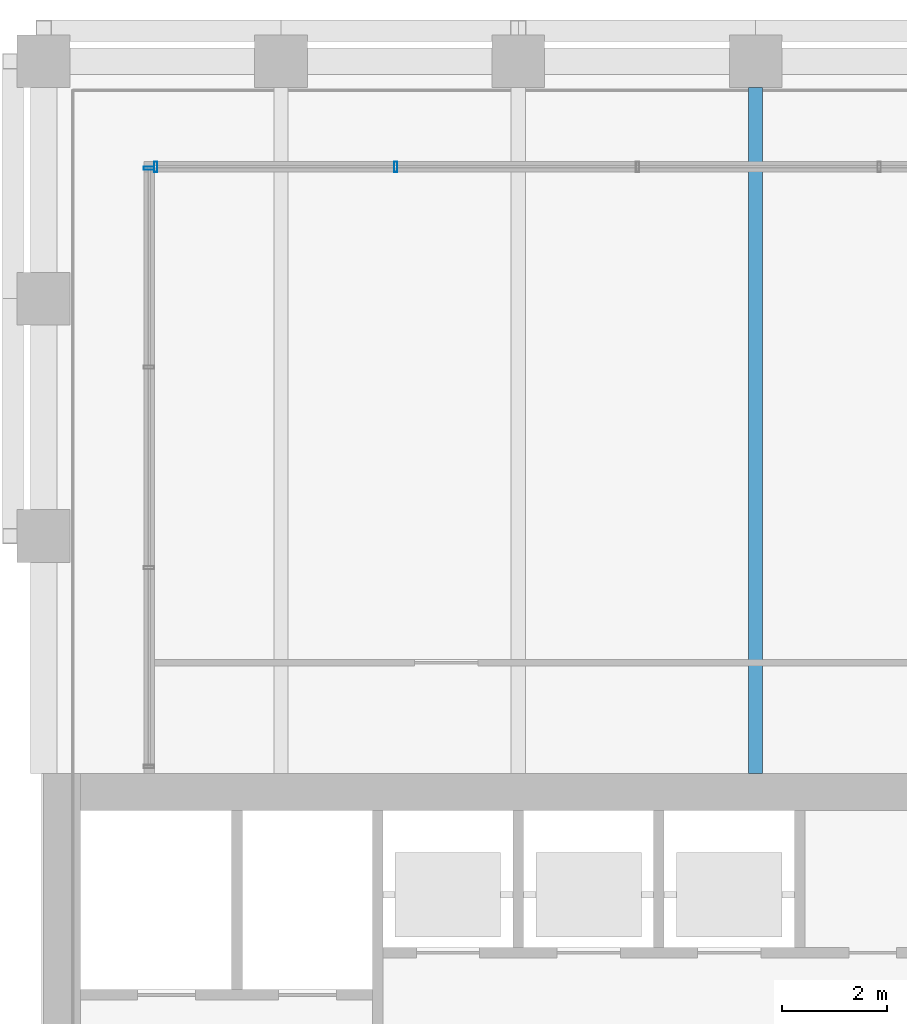
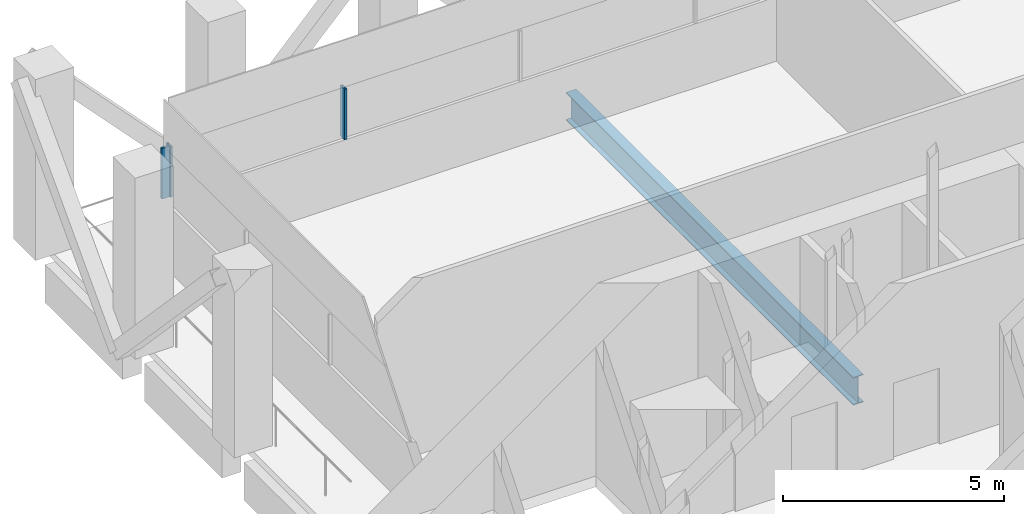
# One storey, part 16 of 48: 3 members, 1 beam, 2 elements without a shape of their own.
"""IFC4 building model written with IfcOpenShell, lengths in metres."""

import ifcopenshell
import ifcopenshell.guid

model = None  # the IFC model being written
_history = None  # IfcOwnerHistory: only IFC2X3 demands one
_inside = {}  # id of a spatial element -> (the spatial element, [elements in it])
_under = {}  # id of a project, library or spatial element -> (it, [spatial elements below it])
_declared = {}  # id of a project -> (the project, [libraries it declares])
_typed = {}  # id of a type object -> (the type object, [elements of that type])
_made_of = {}  # id of a material, layer set ... -> (it, [elements and type objects made of it])


def new_model(schema):
    """Start an empty IFC model of exactly this schema.

    Asked for "IFC4X3", IfcOpenShell would pick the latest addendum, in which some entities
    have other attributes; the version numbers below select the first issue.
    IFC2X3 requires an IfcOwnerHistory on every rooted entity: one is made here for all.
    """
    global model, _history
    if schema == "IFC4X3":
        model = ifcopenshell.file(schema_version=(4, 3, 0, 0))
    else:
        model = ifcopenshell.file(schema=schema)
    _inside.clear()
    _under.clear()
    _declared.clear()
    _typed.clear()
    _made_of.clear()
    _history = None
    if model.schema == "IFC2X3":
        org = make("IfcOrganization", Name="unknown")
        user = make(
            "IfcPersonAndOrganization",
            ThePerson=make("IfcPerson", FamilyName="unknown"),
            TheOrganization=org,
        )
        app = make(
            "IfcApplication",
            ApplicationDeveloper=org,
            Version="unknown",
            ApplicationFullName="unknown",
            ApplicationIdentifier="unknown",
        )
        _history = make(
            "IfcOwnerHistory",
            OwningUser=user,
            OwningApplication=app,
            ChangeAction="ADDED",
            CreationDate=0,
        )
    return model


def make(cls, **values):
    """One entity of the class cls with the attributes given. An attribute that is None is left unset."""
    return model.create_entity(
        cls, **{name: value for name, value in values.items() if value is not None}
    )


def rooted(cls, **values):
    """An entity with a GlobalId (a new one), such as an element, a storey or a relation."""
    return make(cls, GlobalId=ifcopenshell.guid.new(), OwnerHistory=_history, **values)


def si_unit(unit_type, name, prefix=None):
    """IfcSIUnit, for example si_unit("LENGTHUNIT", "METRE", prefix="MILLI")."""
    return make("IfcSIUnit", UnitType=unit_type, Prefix=prefix, Name=name)


def assignment(units):
    """IfcUnitAssignment: the units of a project."""
    return None if units is None else make("IfcUnitAssignment", Units=units)


def point(xyz):
    """IfcCartesianPoint."""
    return None if xyz is None else make("IfcCartesianPoint", Coordinates=xyz)


def direction(xyz):
    """IfcDirection."""
    return None if xyz is None else make("IfcDirection", DirectionRatios=xyz)


def frame(location, z_axis=None, x_axis=None):
    """IfcAxis2Placement3D, a coordinate frame: its origin and axes. An axis left out is left unset."""
    return make(
        "IfcAxis2Placement3D",
        Location=point(location),
        Axis=direction(z_axis),
        RefDirection=direction(x_axis),
    )


def frame_2d(location, x_axis=None):
    """IfcAxis2Placement2D, a coordinate frame in the plane: its origin and x axis."""
    return make(
        "IfcAxis2Placement2D", Location=point(location), RefDirection=direction(x_axis)
    )


def origin():
    """The frame at (0, 0, 0) with its axes left unset."""
    return frame((0.0, 0.0, 0.0))


def origin_2d():
    """The frame at (0, 0) in the plane with its x axis left unset."""
    return frame_2d((0.0, 0.0))


def place(relative_to, where):
    """IfcLocalPlacement: puts the frame where relative to a parent placement (None: the world)."""
    return make(
        "IfcLocalPlacement", PlacementRelTo=relative_to, RelativePlacement=where
    )


def context(
    kind, dimensions, precision=None, world=None, true_north=None, identifier=None
):
    """IfcGeometricRepresentationContext, for example the 3D "Model" context."""
    return make(
        "IfcGeometricRepresentationContext",
        ContextIdentifier=identifier,
        ContextType=kind,
        CoordinateSpaceDimension=dimensions,
        Precision=precision,
        WorldCoordinateSystem=world,
        TrueNorth=true_north,
    )


def subcontext(parent, identifier, kind, view, scale=None):
    """IfcGeometricRepresentationSubContext, for example "Body" below "Model"."""
    return make(
        "IfcGeometricRepresentationSubContext",
        ContextIdentifier=identifier,
        ContextType=kind,
        ParentContext=parent,
        TargetScale=scale,
        TargetView=view,
    )


def project(units=None, contexts=None):
    """IfcProject with its units and contexts."""
    return rooted(
        "IfcProject",
        Name="project",
        RepresentationContexts=contexts,
        UnitsInContext=assignment(units),
    )


def spatial(cls, under=None, at=None, **own):
    """A site, building, storey or space (cls), placed at a placement, below another one or the project."""
    s = rooted(cls, ObjectPlacement=at, **own)
    if under is not None:
        _under.setdefault(under.id(), (under, []))[1].append(s)
    return s


def profile(cls, at=None, kind="AREA", **sizes):
    """A parametric profile (cls). Its sizes go by their IFC names, for example OverallWidth=200.0."""
    return make(cls, ProfileType=kind, Position=at, **sizes)


def hollow_rectangle(**sizes):
    """IfcRectangleHollowProfileDef."""
    return profile("IfcRectangleHollowProfileDef", **sizes)


def i_section(**sizes):
    """IfcIShapeProfileDef."""
    return profile("IfcIShapeProfileDef", **sizes)


def extrude(swept, where, along, depth):
    """IfcExtrudedAreaSolid: the profile swept, set in the frame where, extruded along a direction by depth."""
    return make(
        "IfcExtrudedAreaSolid",
        SweptArea=swept,
        Position=where,
        ExtrudedDirection=direction(along),
        Depth=depth,
    )


def shape(context_of_items, identifier, shape_type, items):
    """IfcShapeRepresentation: the items that make up one representation, for example the "Body"."""
    return make(
        "IfcShapeRepresentation",
        ContextOfItems=context_of_items,
        RepresentationIdentifier=identifier,
        RepresentationType=shape_type,
        Items=items,
    )


def material(Name=None, Category=None):
    """IfcMaterial."""
    return make("IfcMaterial", Name=Name, Category=Category)


def material_profile(
    of_material, cross_section, Name=None, Category=None, Priority=None
):
    """IfcMaterialProfile: a cross section and its material."""
    return make(
        "IfcMaterialProfile",
        Name=Name,
        Material=of_material,
        Profile=cross_section,
        Priority=Priority,
        Category=Category,
    )


def profile_set(profiles, Name=None, composite=None):
    """IfcMaterialProfileSet."""
    return make(
        "IfcMaterialProfileSet",
        Name=Name,
        MaterialProfiles=profiles,
        CompositeProfile=composite,
    )


def made_of(thing, what):
    """Note that an element or type object is made of a material, layer set ...; save() writes the relation."""
    if what is not None:
        _made_of.setdefault(what.id(), (what, []))[1].append(thing)
    return thing


def type_object(cls, material=None, **own):
    """A type object (cls), such as IfcWallType, which elements share."""
    return made_of(rooted(cls, **own), material)


def element(
    cls,
    number,
    at=None,
    inside=None,
    cuts=None,
    type_object=None,
    material=None,
    context=None,
    identifier="Body",
    shape_type=None,
    held_by="IfcProductDefinitionShape",
    body=None,
    shapes=None,
    **own,
):
    """One element of the class cls, such as IfcWall. Its Tag is "e" and its number.

    at: its placement. inside: the storey or other place that contains it. cuts: it is an
    opening in that element (IfcRelVoidsElement). A single representation is given by context,
    identifier, shape_type and body (its items); several are given by shapes. held_by: the class
    of the entity that holds the representations. save() writes the other relations.
    """
    e = rooted(cls, Tag="e%d" % number, ObjectPlacement=at, **own)
    if body is not None:
        shapes = [shape(context, identifier, shape_type, body)]
    if shapes is not None:
        e.Representation = make(held_by, Representations=shapes)
    if inside is not None:
        _inside.setdefault(inside.id(), (inside, []))[1].append(e)
    if cuts is not None:
        rooted(
            "IfcRelVoidsElement", RelatingBuildingElement=cuts, RelatedOpeningElement=e
        )
    if type_object is not None:
        _typed.setdefault(type_object.id(), (type_object, []))[1].append(e)
    return made_of(e, material)


def aggregate(whole, parts):
    """IfcRelAggregates: a whole, such as a stair, and the parts it consists of."""
    return rooted("IfcRelAggregates", RelatingObject=whole, RelatedObjects=parts)


def save(model, path):
    """Write the relations noted so far, then the file.

    IfcRelAggregates (storeys below a building ...), IfcRelContainedInSpatialStructure (elements
    in a storey), IfcRelDefinesByType, IfcRelAssociatesMaterial and IfcRelDeclares: one each for
    every whole, place, type object, material and project.
    """
    for whole, parts in _under.values():
        aggregate(whole, parts)
    for where, things in _inside.values():
        rooted(
            "IfcRelContainedInSpatialStructure",
            RelatedElements=things,
            RelatingStructure=where,
        )
    for kind, things in _typed.values():
        rooted("IfcRelDefinesByType", RelatedObjects=things, RelatingType=kind)
    for what, things in _made_of.values():
        rooted("IfcRelAssociatesMaterial", RelatedObjects=things, RelatingMaterial=what)
    for by, libraries in _declared.values():
        rooted("IfcRelDeclares", RelatingContext=by, RelatedDefinitions=libraries)
    model.write(path)


model = new_model("IFC4")

# Units and contexts
model_context = context("Model", 3, precision=1e-05, world=origin(), true_north=direction((0.0, 1.0)))
body_context = subcontext(model_context, "Body", "Model", "MODEL_VIEW")
ifc_project = project(units=[si_unit("LENGTHUNIT", "METRE"), si_unit("AREAUNIT", "SQUARE_METRE"), si_unit("VOLUMEUNIT", "CUBIC_METRE"), si_unit("PLANEANGLEUNIT", "RADIAN"), si_unit("MASSUNIT", "GRAM", prefix="KILO")], contexts=[model_context])

# Site, building, storey
site_placement = place(None, origin())
site = spatial("IfcSite", under=ifc_project, at=site_placement, CompositionType="ELEMENT")
building_placement = place(site_placement, origin())
building = spatial("IfcBuilding", under=site, at=building_placement, Name="Altepetl Exchange Towers", CompositionType="ELEMENT")
storey_placement = place(building_placement, frame((0.0, 0.0, 138.800048828125)))
storey = spatial("IfcBuildingStorey", under=building, at=storey_placement, Name="L34 Refuge and sky lobby", CompositionType="ELEMENT", Elevation=138.800048828125)

# Beam
ifc_material_1 = material(Name="Steel S355", Category="steel")
ifc_material_profile_1 = material_profile(ifc_material_1, i_section(OverallWidth=0.26806640625, OverallDepth=0.77392578125, WebThickness=0.015380859375, FlangeThickness=0.025390625, at=origin_2d()), Name="W30X132")
ifc_profile_set_1 = profile_set([ifc_material_profile_1], Name="Steel S355")
beam_type = type_object("IfcBeamType", Name="Floor beam W30X132", PredefinedType="BEAM", material=ifc_profile_set_1)
beam_placement = place(storey_placement, frame((54.0, 58.5, -0.587158203125), z_axis=(0.0, 1.0, 0.0), x_axis=(-1.0, 0.0, 0.0)))
element("IfcBeam", 1, at=beam_placement, inside=storey, type_object=beam_type, Name="bm:A:L34:002", PredefinedType="BEAM", context=body_context, shape_type="SweptSolid", body=[
    extrude(i_section(OverallWidth=0.26806640625, OverallDepth=0.77392578125, WebThickness=0.015380859375, FlangeThickness=0.025390625, at=origin_2d()), origin(), (0.0, 0.0, 1.0), 13.0),
])

# Curtain wall, members
ifc_material_2 = material(Name="Aluminium 6063-T6 glazing", Category="aluminium")
curtain_wall_type = type_object("IfcCurtainWallType", Name="Refuge slit glazing system", PredefinedType="NOTDEFINED", material=ifc_material_2)
curtain_wall_1_placement = place(storey_placement, origin())
curtain_wall_1 = element("IfcCurtainWall", 2, at=curtain_wall_1_placement, inside=storey, type_object=curtain_wall_type, Name="CW3 run", PredefinedType="NOTDEFINED")
ifc_material_3 = material(Name="Aluminium 6063-T6", Category="aluminium")
ifc_material_profile_2 = material_profile(ifc_material_3, hollow_rectangle(XDim=0.06005859375, YDim=0.199951171875, WallThickness=0.0029296875, at=origin_2d()), Name="Mullion 60x200 aluminium")
ifc_profile_set_2 = profile_set([ifc_material_profile_2], Name="Aluminium 6063-T6")
member_type = type_object("IfcMemberType", Name="Mullion 60x200 aluminium", PredefinedType="MULLION", material=ifc_profile_set_2)
member_1_placement = place(storey_placement, frame((47.179931640625, 70.0, 1.800048828125), z_axis=(0.0, 0.0, 1.0), x_axis=(-1.0, 0.0, 0.0)))
member_1 = element("IfcMember", 3, at=member_1_placement, type_object=member_type, Name="MU2 mullion", PredefinedType="MULLION", context=body_context, shape_type="SweptSolid", body=[
    extrude(hollow_rectangle(XDim=0.06005859375, YDim=0.199951171875, WallThickness=0.0029296875, at=origin_2d()), origin(), (0.0, 0.0, 1.0), 1.39990234375),
])
member_2_placement = place(storey_placement, frame((42.6298828125, 70.0, 1.800048828125), z_axis=(0.0, 0.0, 1.0), x_axis=(-1.0, 0.0, 0.0)))
member_2 = element("IfcMember", 4, at=member_2_placement, type_object=member_type, Name="MU2 mullion", PredefinedType="MULLION", context=body_context, shape_type="SweptSolid", body=[
    extrude(hollow_rectangle(XDim=0.06005859375, YDim=0.199951171875, WallThickness=0.0029296875, at=origin_2d()), origin(), (0.0, 0.0, 1.0), 1.39990234375),
])
aggregate(curtain_wall_1, [member_1, member_2])

# Curtain wall, member
curtain_wall_2_placement = place(storey_placement, origin())
curtain_wall_2 = element("IfcCurtainWall", 5, at=curtain_wall_2_placement, inside=storey, type_object=curtain_wall_type, Name="CW3 run", PredefinedType="NOTDEFINED")
member_3_placement = place(storey_placement, frame((42.5, 69.969970703125, 1.800048828125), z_axis=(0.0, 0.0, 1.0), x_axis=(0.0, -1.0, 0.0)))
member_3 = element("IfcMember", 6, at=member_3_placement, type_object=member_type, Name="MU2 mullion", PredefinedType="MULLION", context=body_context, shape_type="SweptSolid", body=[
    extrude(hollow_rectangle(XDim=0.06005859375, YDim=0.199951171875, WallThickness=0.0029296875, at=origin_2d()), origin(), (0.0, 0.0, 1.0), 1.39990234375),
])
aggregate(curtain_wall_2, [member_3])

save(model, "model.ifc")
